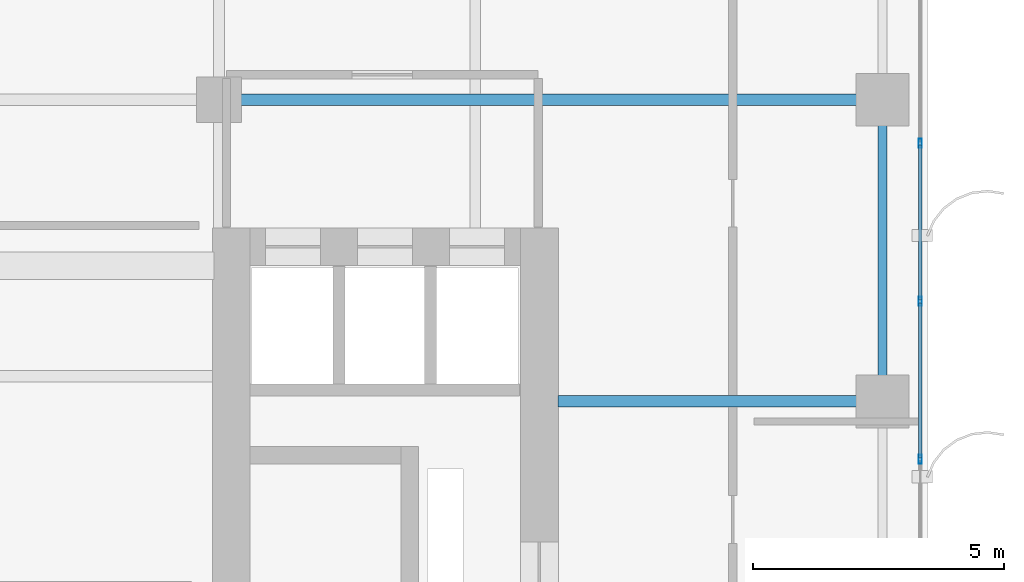
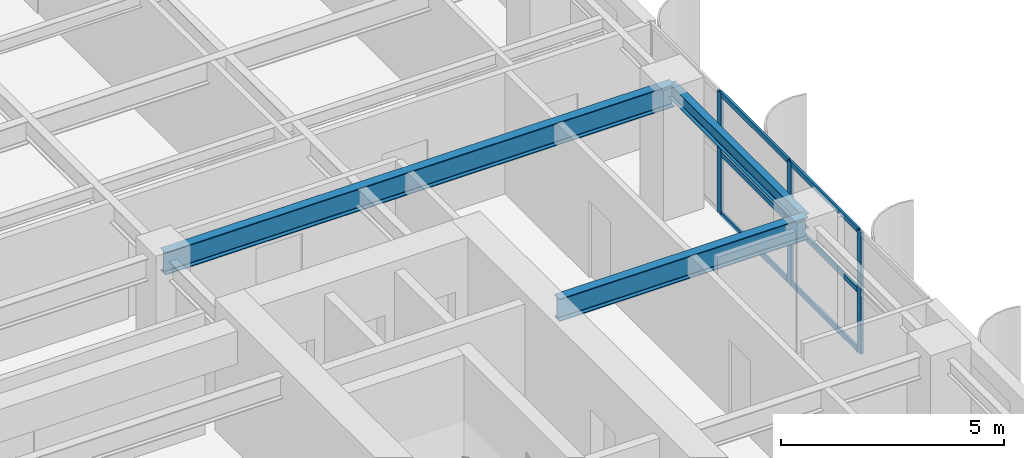
# One storey, part 10 of 27: 9 members, 3 beams, 1 element without a shape of its own.
"""IFC4 building model written with IfcOpenShell, lengths in metres."""

from ifc_helpers import new_model, si_unit, direction, frame, origin, origin_2d, place, context, subcontext, project, spatial, hollow_rectangle, i_section, extrude, source, transform, mapped, material, layer, layer_set, material_profile, profile_set, type_object, element, aggregate, save


model = new_model("IFC4")

# Units and contexts
model_context = context("Model", 3, precision=1e-05, world=origin(), true_north=direction((0.0, 1.0)))
body_context = subcontext(model_context, "Body", "Model", "MODEL_VIEW")
ifc_project = project(units=[si_unit("LENGTHUNIT", "METRE"), si_unit("AREAUNIT", "SQUARE_METRE"), si_unit("VOLUMEUNIT", "CUBIC_METRE"), si_unit("PLANEANGLEUNIT", "RADIAN"), si_unit("MASSUNIT", "GRAM", prefix="KILO")], contexts=[model_context])

# Site, building, storey
site_placement = place(None, origin())
site = spatial("IfcSite", under=ifc_project, at=site_placement, CompositionType="ELEMENT")
building_placement = place(site_placement, origin())
building = spatial("IfcBuilding", under=site, at=building_placement, Name="Khoralis Quay Care Tower", CompositionType="ELEMENT")
storey_placement = place(building_placement, frame((0.0, 0.0, 105.300048828125)))
storey = spatial("IfcBuildingStorey", under=building, at=storey_placement, Name="L27", CompositionType="ELEMENT", Elevation=105.300048828125)

# Beams
ifc_material_1 = material(Name="Steel S355", Category="steel")
ifc_material_profile_1 = material_profile(ifc_material_1, i_section(OverallWidth=0.179931640625, OverallDepth=0.39990234375, WebThickness=0.008544921875, FlangeThickness=0.013427734375, FilletRadius=0.02099609375, at=origin_2d()), Name="Steel S355")
ifc_profile_set_1 = profile_set([ifc_material_profile_1], Name="Steel S355")
beam_type_1 = type_object("IfcBeamType", Name="BM-IPE400", PredefinedType="SPANDREL", material=ifc_profile_set_1)
shared_shape_1 = source(origin(), body_context, "Body", "SweptSolid", [
    extrude(i_section(OverallWidth=0.179931640625, OverallDepth=0.39990234375, WebThickness=0.008544921875, FlangeThickness=0.013427734375, FilletRadius=0.02099609375, at=origin_2d()), origin(), (0.0, 0.0, 1.0), 6.0),
])
beam_1_placement = place(storey_placement, frame((44.10009765625, 24.0, 3.139892578125), z_axis=(0.0, 1.0, 0.0), x_axis=(-1.0, 0.0, 0.0)))
element("IfcBeam", 1, at=beam_1_placement, inside=storey, type_object=beam_type_1, Name="BM-TSP-L27-19", PredefinedType="SPANDREL", context=body_context, shape_type="MappedRepresentation", body=[
    mapped(shared_shape_1, transform((0.0, 0.0, 0.0), scale=1.0)),
])
ifc_material_profile_2 = material_profile(ifc_material_1, i_section(OverallWidth=0.22998046875, OverallDepth=0.616943359375, WebThickness=0.01318359375, FlangeThickness=0.022216796875, FilletRadius=0.01806640625, at=origin_2d()), Name="Steel S355")
ifc_profile_set_2 = profile_set([ifc_material_profile_2], Name="Steel S355")
beam_type_2 = type_object("IfcBeamType", Name="BM-W610X140", PredefinedType="BEAM", material=ifc_profile_set_2)
shared_shape_2 = source(origin(), body_context, "Body", "SweptSolid", [
    extrude(i_section(OverallWidth=0.22998046875, OverallDepth=0.616943359375, WebThickness=0.01318359375, FlangeThickness=0.022216796875, FilletRadius=0.01806640625, at=origin_2d()), origin(), (0.0, 0.0, 1.0), 13.2001953125),
])
beam_2_placement = place(storey_placement, frame((30.89990234375, 30.0, 3.031494140625), z_axis=(1.0, 0.0, 0.0), x_axis=(0.0, 1.0, 0.0)))
element("IfcBeam", 2, at=beam_2_placement, inside=storey, type_object=beam_type_2, Name="BM-TGXE-L27-300", PredefinedType="BEAM", context=body_context, shape_type="MappedRepresentation", body=[
    mapped(shared_shape_2, transform((0.0, 0.0, 0.0), scale=1.0)),
])
shared_shape_3 = source(origin(), body_context, "Body", "SweptSolid", [
    extrude(i_section(OverallWidth=0.22998046875, OverallDepth=0.616943359375, WebThickness=0.01318359375, FlangeThickness=0.022216796875, FilletRadius=0.01806640625, at=origin_2d()), origin(), (0.0, 0.0, 1.0), 6.4521484375),
])
beam_3_placement = place(storey_placement, frame((37.64794921875, 24.0, 3.031494140625), z_axis=(1.0, 0.0, 0.0), x_axis=(0.0, 1.0, 0.0)))
element("IfcBeam", 3, at=beam_3_placement, inside=storey, type_object=beam_type_2, Name="BM-TGXE-L27-240", PredefinedType="BEAM", context=body_context, shape_type="MappedRepresentation", body=[
    mapped(shared_shape_3, transform((0.0, 0.0, 0.0), scale=1.0)),
])

# Curtain wall, members
ifc_material_2 = material(Name="Pale anodised aluminium", Category="aluminium")
ifc_layer = layer(ifc_material_2, 0.169921875)
ifc_layer_set = layer_set([ifc_layer], Name="Pale anodised aluminium")
curtain_wall_type = type_object("IfcCurtainWallType", Name="CW-SYS-Z2", PredefinedType="NOTDEFINED", material=ifc_layer_set)
curtain_wall_placement = place(storey_placement, origin())
curtain_wall = element("IfcCurtainWall", 4, at=curtain_wall_placement, inside=storey, type_object=curtain_wall_type, Name="L27 Unitised Curtain Wall CW-L27-P1-E5", PredefinedType="NOTDEFINED")
ifc_material_profile_3 = material_profile(ifc_material_2, hollow_rectangle(XDim=0.06005859375, YDim=0.139892578125, WallThickness=0.00390625, at=origin_2d()), Name="Pale anodised aluminium")
ifc_profile_set_3 = profile_set([ifc_material_profile_3], Name="Pale anodised aluminium")
member_type_1 = type_object("IfcMemberType", Name="CW-TRN-140", PredefinedType="USERDEFINED", material=ifc_profile_set_3)
shared_shape_4 = source(origin(), body_context, "Body", "SweptSolid", [
    extrude(hollow_rectangle(XDim=0.06005859375, YDim=0.139892578125, WallThickness=0.00390625, at=origin_2d()), origin(), (0.0, 0.0, 1.0), 3.0849609375),
])
member_1_placement = place(storey_placement, frame((44.85009765625, 22.875, 0.030029296875), z_axis=(0.0, 1.0, 0.0), x_axis=(-1.0, 0.0, 0.0)))
member_1 = element("IfcMember", 5, at=member_1_placement, type_object=member_type_1, Name="CW2 transom 2.1", ObjectType="TRANSOM", PredefinedType="USERDEFINED", context=body_context, shape_type="MappedRepresentation", body=[
    mapped(shared_shape_4, transform((0.0, 0.0, 0.0), scale=1.0)),
])
member_2_placement = place(storey_placement, frame((44.85009765625, 22.875, 1.669921875), z_axis=(0.0, 1.0, 0.0), x_axis=(-1.0, 0.0, 0.0)))
member_2 = element("IfcMember", 6, at=member_2_placement, type_object=member_type_1, Name="CW2 transom 2.2", ObjectType="TRANSOM", PredefinedType="USERDEFINED", context=body_context, shape_type="MappedRepresentation", body=[
    mapped(shared_shape_4, transform((0.0, 0.0, 0.0), scale=1.0)),
])
member_3_placement = place(storey_placement, frame((44.85009765625, 22.875, 3.31005859375), z_axis=(0.0, 1.0, 0.0), x_axis=(-1.0, 0.0, 0.0)))
member_3 = element("IfcMember", 7, at=member_3_placement, type_object=member_type_1, Name="CW2 transom 2.3", ObjectType="TRANSOM", PredefinedType="USERDEFINED", context=body_context, shape_type="MappedRepresentation", body=[
    mapped(shared_shape_4, transform((0.0, 0.0, 0.0), scale=1.0)),
])
member_4_placement = place(storey_placement, frame((44.85009765625, 26.02001953125, 0.030029296875), z_axis=(0.0, 1.0, 0.0), x_axis=(-1.0, 0.0, 0.0)))
member_4 = element("IfcMember", 8, at=member_4_placement, type_object=member_type_1, Name="CW2 transom 3.1", ObjectType="TRANSOM", PredefinedType="USERDEFINED", context=body_context, shape_type="MappedRepresentation", body=[
    mapped(shared_shape_4, transform((0.0, 0.0, 0.0), scale=1.0)),
])
member_5_placement = place(storey_placement, frame((44.85009765625, 26.02001953125, 1.669921875), z_axis=(0.0, 1.0, 0.0), x_axis=(-1.0, 0.0, 0.0)))
member_5 = element("IfcMember", 9, at=member_5_placement, type_object=member_type_1, Name="CW2 transom 3.2", ObjectType="TRANSOM", PredefinedType="USERDEFINED", context=body_context, shape_type="MappedRepresentation", body=[
    mapped(shared_shape_4, transform((0.0, 0.0, 0.0), scale=1.0)),
])
member_6_placement = place(storey_placement, frame((44.85009765625, 26.02001953125, 3.31005859375), z_axis=(0.0, 1.0, 0.0), x_axis=(-1.0, 0.0, 0.0)))
member_6 = element("IfcMember", 10, at=member_6_placement, type_object=member_type_1, Name="CW2 transom 3.3", ObjectType="TRANSOM", PredefinedType="USERDEFINED", context=body_context, shape_type="MappedRepresentation", body=[
    mapped(shared_shape_4, transform((0.0, 0.0, 0.0), scale=1.0)),
])
ifc_material_profile_4 = material_profile(ifc_material_2, hollow_rectangle(XDim=0.06494140625, YDim=0.179931640625, WallThickness=0.00390625, at=origin_2d()), Name="Pale anodised aluminium")
ifc_profile_set_4 = profile_set([ifc_material_profile_4], Name="Pale anodised aluminium")
member_type_2 = type_object("IfcMemberType", Name="CW-MUL-180", PredefinedType="MULLION", material=ifc_profile_set_4)
shared_shape_5 = source(origin(), body_context, "Body", "SweptSolid", [
    extrude(hollow_rectangle(XDim=0.06494140625, YDim=0.179931640625, WallThickness=0.00390625, at=origin_2d()), origin(), (0.0, 0.0, 1.0), 3.33984375),
])
member_7_placement = place(storey_placement, frame((44.85009765625, 22.844970703125, 0.0), z_axis=(0.0, 0.0, 1.0), x_axis=(-1.0, 0.0, 0.0)))
member_7 = element("IfcMember", 11, at=member_7_placement, type_object=member_type_2, Name="CW2 mullion 2", PredefinedType="MULLION", context=body_context, shape_type="MappedRepresentation", body=[
    mapped(shared_shape_5, transform((0.0, 0.0, 0.0), scale=1.0)),
])
member_8_placement = place(storey_placement, frame((44.85009765625, 25.989990234375, 0.0), z_axis=(0.0, 0.0, 1.0), x_axis=(-1.0, 0.0, 0.0)))
member_8 = element("IfcMember", 12, at=member_8_placement, type_object=member_type_2, Name="CW2 mullion 3", PredefinedType="MULLION", context=body_context, shape_type="MappedRepresentation", body=[
    mapped(shared_shape_5, transform((0.0, 0.0, 0.0), scale=1.0)),
])
member_9_placement = place(storey_placement, frame((44.85009765625, 29.135009765625, 0.0), z_axis=(0.0, 0.0, 1.0), x_axis=(-1.0, 0.0, 0.0)))
member_9 = element("IfcMember", 13, at=member_9_placement, type_object=member_type_2, Name="CW2 mullion 4", PredefinedType="MULLION", context=body_context, shape_type="MappedRepresentation", body=[
    mapped(shared_shape_5, transform((0.0, 0.0, 0.0), scale=1.0)),
])
aggregate(curtain_wall, [member_7, member_8, member_9, member_1, member_2, member_3, member_4, member_5, member_6])

save(model, "model.ifc")
